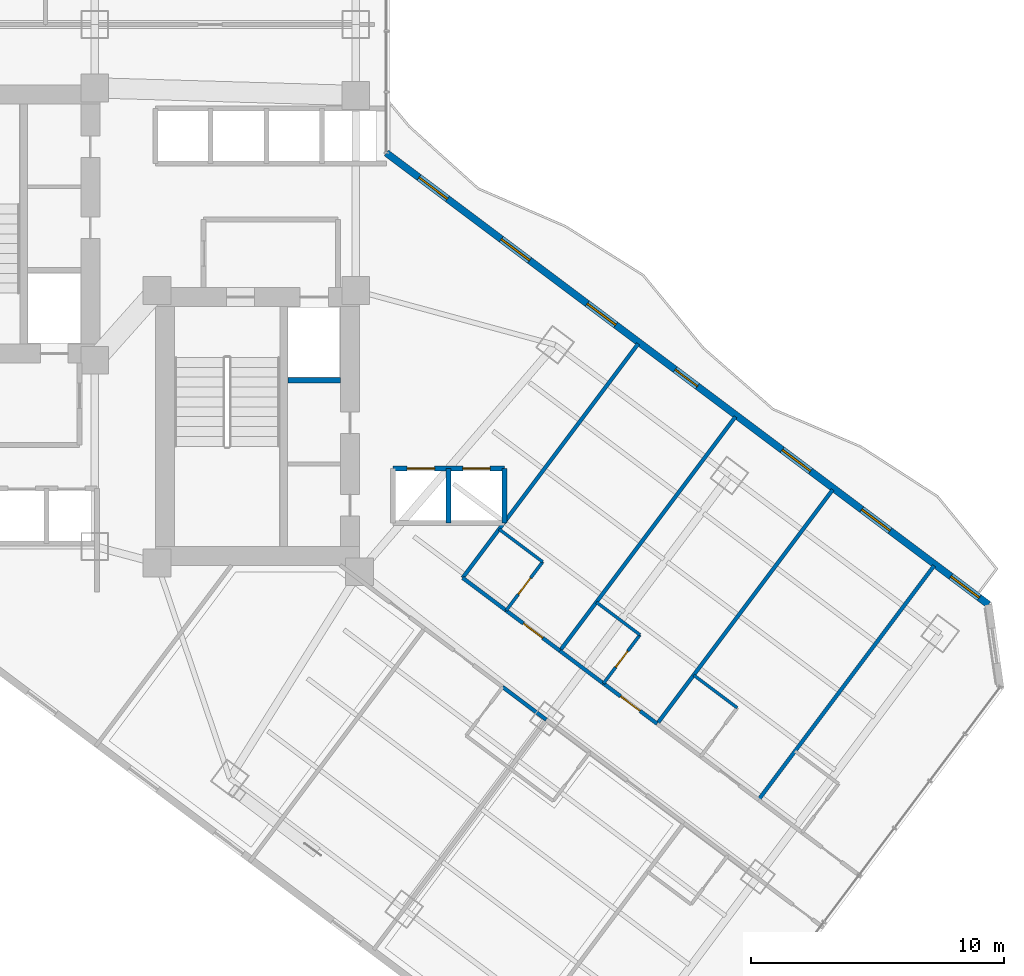
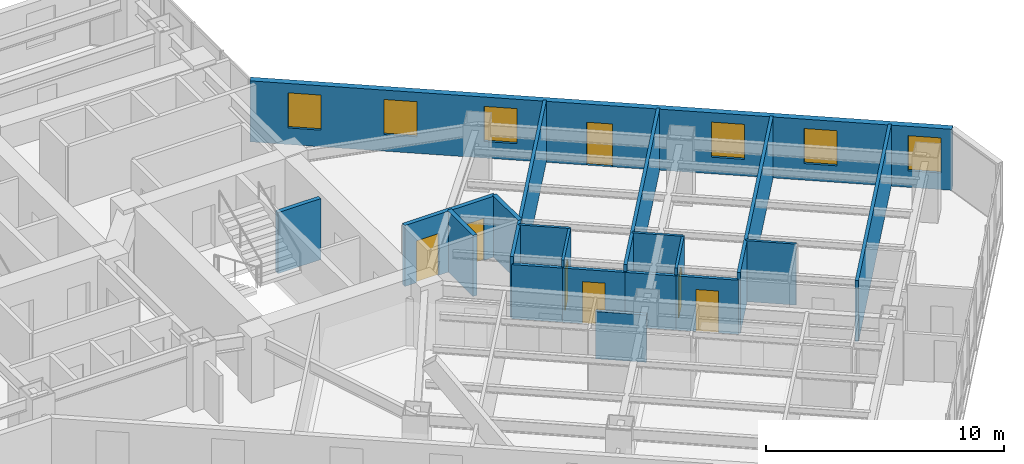
# One storey, part 24 of 32: 19 walls, 7 doors, 6 windows, 13 openings.
"""IFC4 building model written with IfcOpenShell, lengths in metres."""

from ifc_helpers import new_model, si_unit, direction, frame, frame_2d, origin, place, context, subcontext, project, spatial, rectangle, extrude, material, layer, layer_set, type_object, element, fill, save


model = new_model("IFC4")

# Units and contexts
model_context = context("Model", 3, precision=1e-05, world=origin(), true_north=direction((0.0, 1.0)))
body_context = subcontext(model_context, "Body", "Model", "MODEL_VIEW")
ifc_project = project(units=[si_unit("LENGTHUNIT", "METRE"), si_unit("AREAUNIT", "SQUARE_METRE"), si_unit("VOLUMEUNIT", "CUBIC_METRE"), si_unit("PLANEANGLEUNIT", "RADIAN"), si_unit("MASSUNIT", "GRAM", prefix="KILO")], contexts=[model_context])

# Site, building, storey
site_placement = place(None, origin())
site = spatial("IfcSite", under=ifc_project, at=site_placement, CompositionType="ELEMENT")
building_placement = place(site_placement, origin())
building = spatial("IfcBuilding", under=site, at=building_placement, Name="Hatsunagi Terrace Concourse", CompositionType="ELEMENT")
storey_placement = place(building_placement, frame((0.0, 0.0, 36.60009765625)))
storey = spatial("IfcBuildingStorey", under=building, at=storey_placement, Name="L08", CompositionType="ELEMENT", Elevation=36.60009765625)

# Wall, opening, door
ifc_material_1 = material(Name="Acoustic mineral board", Category="gypsum")
ifc_layer_1 = layer(ifc_material_1, 0.1201171875)
ifc_layer_set_1 = layer_set([ifc_layer_1], Name="PartitionWall_EI30_120")
wall_type_1 = type_object("IfcWallType", Name="PartitionWall_EI30_120", PredefinedType="PARTITIONING", material=ifc_layer_set_1)
wall_1_placement = place(storey_placement, frame((49.590087890625, 22.669921875, 0.0), z_axis=(0.0, 0.0, 1.0), x_axis=(0.599951172744, 0.800036618114, 0.0)))
wall_1 = element("IfcWall", 1, at=wall_1_placement, inside=storey, type_object=wall_type_1, Name="Interior Partition IW-L08-078", PredefinedType="PARTITIONING", context=body_context, shape_type="SweptSolid", body=[
    extrude(rectangle(XDim=2.400146484375, YDim=0.1201171875, at=frame_2d((1.2001953125, 0.0))), origin(), (0.0, 0.0, 1.0), 3.1298828125),
])
opening_1_placement = place(wall_1_placement, frame((0.800048828125, 0.0, 0.0)))
opening_1 = element("IfcOpeningElement", 2, at=opening_1_placement, cuts=wall_1, Name="Opening DR-080", PredefinedType="OPENING", context=body_context, shape_type="SweptSolid", body=[
    extrude(rectangle(XDim=0.800048828125, YDim=2.06005859375, at=frame_2d((0.39990234375, 1.030029296875))), frame((0.0, 0.070068359375, 0.0), z_axis=(0.0, -1.0, 0.0), x_axis=(1.0, 0.0, 0.0)), (0.0, 0.0, 1.0), 0.14013671875),
])
ifc_material_2 = material(Name="Hardwood timber", Category="wood")
door_type_1 = type_object("IfcDoorType", Name="BathroomDoor_800", OperationType="NOTDEFINED", PredefinedType="DOOR", material=ifc_material_2)
door_1_placement = place(opening_1_placement, origin())
door_1 = element("IfcDoor", 3, at=door_1_placement, inside=storey, type_object=door_type_1, Name="En-Suite Bathroom L08-SENE1 Door", OperationType="SINGLE_SWING_LEFT", OverallHeight=2.06005859375, OverallWidth=0.800048828125, PredefinedType="DOOR", context=body_context, shape_type="SweptSolid", body=[
    extrude(rectangle(XDim=0.800048828125, YDim=2.06005859375, at=frame_2d((0.39990234375, 1.030029296875))), frame((0.0, 0.02490234375, 0.0), z_axis=(0.0, -1.0, 0.0), x_axis=(1.0, 0.0, 0.0)), (0.0, 0.0, 1.0), 0.050048828125),
])
fill(opening_1, door_1)

# Wall
wall_2_placement = place(storey_placement, frame((49.31005859375, 25.8798828125, 0.0), z_axis=(0.0, 0.0, 1.0), x_axis=(0.800040880289, -0.59994548908, 0.0)))
element("IfcWall", 4, at=wall_2_placement, inside=storey, type_object=wall_type_1, Name="Interior Partition IW-L08-079", PredefinedType="PARTITIONING", context=body_context, shape_type="SweptSolid", body=[
    extrude(rectangle(XDim=2.14990234375, YDim=0.1201171875, at=frame_2d((1.074951171875, 0.0))), origin(), (0.0, 0.0, 1.0), 3.1298828125),
])

# Wall, opening, door
wall_3_placement = place(storey_placement, frame((53.429931640625, 19.7900390625, 0.0), z_axis=(0.0, 0.0, 1.0), x_axis=(0.600065100855, 0.79995117022, 0.0)))
wall_3 = element("IfcWall", 5, at=wall_3_placement, inside=storey, type_object=wall_type_1, Name="Interior Partition IW-L08-084", PredefinedType="PARTITIONING", context=body_context, shape_type="SweptSolid", body=[
    extrude(rectangle(XDim=2.400146484375, YDim=0.1201171875, at=frame_2d((1.2001953125, 0.0))), origin(), (0.0, 0.0, 1.0), 3.1298828125),
])
opening_2_placement = place(wall_3_placement, frame((0.800048828125, 0.0, 0.0)))
opening_2 = element("IfcOpeningElement", 6, at=opening_2_placement, cuts=wall_3, Name="Opening DR-080", PredefinedType="OPENING", context=body_context, shape_type="SweptSolid", body=[
    extrude(rectangle(XDim=0.800048828125, YDim=2.06005859375, at=frame_2d((0.39990234375, 1.030029296875))), frame((0.0, 0.070068359375, 0.0), z_axis=(0.0, -1.0, 0.0), x_axis=(1.0, 0.0, 0.0)), (0.0, 0.0, 1.0), 0.14013671875),
])
door_2_placement = place(opening_2_placement, origin())
door_2 = element("IfcDoor", 7, at=door_2_placement, inside=storey, type_object=door_type_1, Name="En-Suite Bathroom L08-SENE2 Door", OperationType="SINGLE_SWING_RIGHT", OverallHeight=2.06005859375, OverallWidth=0.800048828125, PredefinedType="DOOR", context=body_context, shape_type="SweptSolid", body=[
    extrude(rectangle(XDim=0.800048828125, YDim=2.06005859375, at=frame_2d((0.39990234375, 1.030029296875))), frame((0.0, 0.02490234375, 0.0), z_axis=(0.0, -1.0, 0.0), x_axis=(1.0, 0.0, 0.0)), (0.0, 0.0, 1.0), 0.050048828125),
])
fill(opening_2, door_2)

# Walls
wall_4_placement = place(storey_placement, frame((53.14990234375, 23.0, 0.0), z_axis=(0.0, 0.0, 1.0), x_axis=(0.800027249606, -0.599963665473, 0.0)))
element("IfcWall", 8, at=wall_4_placement, inside=storey, type_object=wall_type_1, Name="Interior Partition IW-L08-085", PredefinedType="PARTITIONING", context=body_context, shape_type="SweptSolid", body=[
    extrude(rectangle(XDim=2.150146484375, YDim=0.1201171875, at=frame_2d((1.0751953125, 0.0))), origin(), (0.0, 0.0, 1.0), 3.1298828125),
])
wall_5_placement = place(storey_placement, frame((56.989990234375, 20.1201171875, 0.0), z_axis=(0.0, 0.0, 1.0), x_axis=(0.79998637334, -0.60001816845, 0.0)))
element("IfcWall", 9, at=wall_5_placement, inside=storey, type_object=wall_type_1, Name="Interior Partition IW-L08-090", PredefinedType="PARTITIONING", context=body_context, shape_type="SweptSolid", body=[
    extrude(rectangle(XDim=2.14990234375, YDim=0.1201171875, at=frame_2d((1.074951171875, 0.0))), origin(), (0.0, 0.0, 1.0), 3.1298828125),
])
ifc_material_3 = material(Name="Acoustic mineral board", Category="gypsum")
ifc_layer_2 = layer(ifc_material_3, 0.14990234375)
ifc_layer_set_2 = layer_set([ifc_layer_2], Name="PartitionWall_EI60_150")
wall_type_2 = type_object("IfcWallType", Name="PartitionWall_EI60_150", PredefinedType="PARTITIONING", material=ifc_layer_set_2)
wall_6_placement = place(storey_placement, frame((47.8701171875, 23.9599609375, 0.0), z_axis=(0.0, 0.0, 1.0), x_axis=(0.79998637334, -0.60001816845, 0.0)))
element("IfcWall", 10, at=wall_6_placement, inside=storey, type_object=wall_type_2, Name="Interior Partition IW-L08-076", PredefinedType="PARTITIONING", context=body_context, shape_type="SweptSolid", body=[
    extrude(rectangle(XDim=2.14990234375, YDim=0.14990234375, at=frame_2d((1.074951171875, 0.0))), origin(), (0.0, 0.0, 1.0), 2.77490234375),
])

# Wall, opening, door
wall_7_placement = place(storey_placement, frame((49.590087890625, 22.669921875, 0.0), z_axis=(0.0, 0.0, 1.0), x_axis=(0.800011056104, -0.599985258246, 0.0)))
wall_7 = element("IfcWall", 11, at=wall_7_placement, inside=storey, type_object=wall_type_2, Name="Interior Partition IW-L08-077", PredefinedType="PARTITIONING", context=body_context, shape_type="SweptSolid", body=[
    extrude(rectangle(XDim=2.64990234375, YDim=0.14990234375, at=frame_2d((1.324951171875, 0.0))), origin(), (0.0, 0.0, 1.0), 2.77490234375),
])
opening_3_placement = place(wall_7_placement, frame((0.85009765625, 0.0, 0.0)))
opening_3 = element("IfcOpeningElement", 12, at=opening_3_placement, cuts=wall_7, Name="Opening DR-095", PredefinedType="OPENING", context=body_context, shape_type="SweptSolid", body=[
    extrude(rectangle(XDim=0.949951171875, YDim=2.14990234375, at=frame_2d((0.47509765625, 1.074951171875))), frame((0.0, 0.0849609375, 0.0), z_axis=(0.0, -1.0, 0.0), x_axis=(1.0, 0.0, 0.0)), (0.0, 0.0, 1.0), 0.169921875),
])
ifc_material_4 = material(Name="Hardwood timber", Category="wood")
door_type_2 = type_object("IfcDoorType", Name="InteriorSuiteDoor_EI30_950", OperationType="NOTDEFINED", PredefinedType="DOOR", material=ifc_material_4)
door_3_placement = place(opening_3_placement, origin())
door_3 = element("IfcDoor", 13, at=door_3_placement, inside=storey, type_object=door_type_2, Name="Hotel Guest Room L08-SENE1 Door", OperationType="SINGLE_SWING_LEFT", OverallHeight=2.14990234375, OverallWidth=0.949951171875, PredefinedType="DOOR", context=body_context, shape_type="SweptSolid", body=[
    extrude(rectangle(XDim=0.949951171875, YDim=2.14990234375, at=frame_2d((0.47509765625, 1.074951171875))), frame((0.0, 0.02490234375, 0.0), z_axis=(0.0, -1.0, 0.0), x_axis=(1.0, 0.0, 0.0)), (0.0, 0.0, 1.0), 0.050048828125),
])
fill(opening_3, door_3)

# Walls
for number, where, z_axis, x_axis, name in (
    (14, (47.8701171875, 23.9599609375, 0.0), (0.0, 0.0, 1.0), (0.599996617946, 0.80000253653, 0.0), "Interior Partition IW-L08-080"),
    (15, (51.7099609375, 21.080078125, 0.0), (0.0, 0.0, 1.0), (0.599996617946, 0.80000253653, 0.0), "Interior Partition IW-L08-081"),
):
    element("IfcWall", number, at=place(storey_placement, frame(where, z_axis=z_axis, x_axis=x_axis)), inside=storey, type_object=wall_type_2, Name=name, PredefinedType="PARTITIONING", context=body_context, shape_type="SweptSolid", body=[
        extrude(rectangle(XDim=11.550048828125, YDim=0.14990234375, at=frame_2d((5.77490234375, 0.0))), origin(), (0.0, 0.0, 1.0), 3.1298828125),
    ])
wall_8_placement = place(storey_placement, frame((51.7099609375, 21.080078125, 0.0), z_axis=(0.0, 0.0, 1.0), x_axis=(0.79998637334, -0.60001816845, 0.0)))
element("IfcWall", 16, at=wall_8_placement, inside=storey, type_object=wall_type_2, Name="Interior Partition IW-L08-082", PredefinedType="PARTITIONING", context=body_context, shape_type="SweptSolid", body=[
    extrude(rectangle(XDim=2.14990234375, YDim=0.14990234375, at=frame_2d((1.074951171875, 0.0))), origin(), (0.0, 0.0, 1.0), 2.77490234375),
])

# Wall, opening, door
wall_9_placement = place(storey_placement, frame((53.429931640625, 19.7900390625, 0.0), z_axis=(0.0, 0.0, 1.0), x_axis=(0.8, -0.6, 0.0)))
wall_9 = element("IfcWall", 17, at=wall_9_placement, inside=storey, type_object=wall_type_2, Name="Interior Partition IW-L08-083", PredefinedType="PARTITIONING", context=body_context, shape_type="SweptSolid", body=[
    extrude(rectangle(XDim=2.650146484375, YDim=0.14990234375, at=frame_2d((1.3251953125, 0.0))), origin(), (0.0, 0.0, 1.0), 2.77490234375),
])
opening_4_placement = place(wall_9_placement, frame((0.85009765625, 0.0, 0.0)))
opening_4 = element("IfcOpeningElement", 18, at=opening_4_placement, cuts=wall_9, Name="Opening DR-095", PredefinedType="OPENING", context=body_context, shape_type="SweptSolid", body=[
    extrude(rectangle(XDim=0.949951171875, YDim=2.14990234375, at=frame_2d((0.47509765625, 1.074951171875))), frame((0.0, 0.0849609375, 0.0), z_axis=(0.0, -1.0, 0.0), x_axis=(1.0, 0.0, 0.0)), (0.0, 0.0, 1.0), 0.169921875),
])
door_4_placement = place(opening_4_placement, origin())
door_4 = element("IfcDoor", 19, at=door_4_placement, inside=storey, type_object=door_type_2, Name="Hotel Guest Room L08-SENE2 Door", OperationType="SINGLE_SWING_LEFT", OverallHeight=2.14990234375, OverallWidth=0.949951171875, PredefinedType="DOOR", context=body_context, shape_type="SweptSolid", body=[
    extrude(rectangle(XDim=0.949951171875, YDim=2.14990234375, at=frame_2d((0.47509765625, 1.074951171875))), frame((0.0, 0.02490234375, 0.0), z_axis=(0.0, -1.0, 0.0), x_axis=(1.0, 0.0, 0.0)), (0.0, 0.0, 1.0), 0.050048828125),
])
fill(opening_4, door_4)

# Walls
for number, where, z_axis, x_axis, name in (
    (20, (55.550048828125, 18.199951171875, 0.0), (0.0, 0.0, 1.0), (0.599996617946, 0.80000253653, 0.0), "Interior Partition IW-L08-086"),
    (21, (59.550048828125, 15.199951171875, 0.0), (0.0, 0.0, 1.0), (0.599996617946, 0.80000253653, 0.0), "Interior Partition IW-L08-091"),
):
    element("IfcWall", number, at=place(storey_placement, frame(where, z_axis=z_axis, x_axis=x_axis)), inside=storey, type_object=wall_type_2, Name=name, PredefinedType="PARTITIONING", context=body_context, shape_type="SweptSolid", body=[
        extrude(rectangle(XDim=11.550048828125, YDim=0.14990234375, at=frame_2d((5.77490234375, 0.0))), origin(), (0.0, 0.0, 1.0), 3.1298828125),
    ])
wall_10_placement = place(storey_placement, frame((49.449951171875, 19.64990234375, 0.0), z_axis=(0.0, 0.0, 1.0), x_axis=(0.800040880289, -0.59994548908, 0.0)))
element("IfcWall", 22, at=wall_10_placement, inside=storey, type_object=wall_type_2, Name="Interior Partition IW-L08-097", PredefinedType="PARTITIONING", context=body_context, shape_type="SweptSolid", body=[
    extrude(rectangle(XDim=2.14990234375, YDim=0.14990234375, at=frame_2d((1.074951171875, 0.0))), origin(), (0.0, 0.0, 1.0), 2.4248046875),
])
ifc_material_5 = material(Name="Acoustic mineral board", Category="gypsum")
ifc_layer_3 = layer(ifc_material_5, 0.199951171875)
ifc_layer_set_3 = layer_set([ifc_layer_3], Name="ShaftWall_EI120_200")
wall_type_3 = type_object("IfcWallType", Name="ShaftWall_EI120_200", PredefinedType="STANDARD", material=ifc_layer_set_3)
wall_11_placement = place(storey_placement, frame((40.969970703125, 31.760009765625, 0.0), z_axis=(0.0, 0.0, 1.0), x_axis=(1.0, 0.0, 0.0)))
element("IfcWall", 23, at=wall_11_placement, inside=storey, type_object=wall_type_3, Name="Interior Partition IW-L08-003", PredefinedType="STANDARD", context=body_context, shape_type="SweptSolid", body=[
    extrude(rectangle(XDim=2.080078125, YDim=0.199951171875, at=frame_2d((1.0400390625, 0.0))), origin(), (0.0, 0.0, 1.0), 3.1298828125),
])
for number, where, z_axis, x_axis, name in (
    (24, (49.52001953125, 26.1201171875, 0.0), (0.0, 0.0, 1.0), (0.0, 1.0, 0.0), "Interior Partition IW-L08-026"),
    (25, (47.320068359375, 26.1201171875, 0.0), (0.0, 0.0, 1.0), (0.0, 1.0, 0.0), "Interior Partition IW-L08-027"),
):
    element("IfcWall", number, at=place(storey_placement, frame(where, z_axis=z_axis, x_axis=x_axis)), inside=storey, type_object=wall_type_3, Name=name, PredefinedType="STANDARD", context=body_context, shape_type="SweptSolid", body=[
        extrude(rectangle(XDim=2.159912109375, YDim=0.199951171875, at=frame_2d((1.080078125, 0.0))), origin(), (0.0, 0.0, 1.0), 3.1298828125),
    ])

# Wall, openings, doors
wall_12_placement = place(storey_placement, frame((45.1201171875, 28.280029296875, 0.0), z_axis=(0.0, 0.0, 1.0), x_axis=(1.0, 0.0, 0.0)))
wall_12 = element("IfcWall", 26, at=wall_12_placement, inside=storey, type_object=wall_type_3, Name="Interior Partition IW-L08-028", PredefinedType="STANDARD", context=body_context, shape_type="SweptSolid", body=[
    extrude(rectangle(XDim=4.39990234375, YDim=0.199951171875, at=frame_2d((2.199951171875, 0.0))), origin(), (0.0, 0.0, 1.0), 3.1298828125),
])
opening_5_placement = place(wall_12_placement, frame((0.56005859375, 0.0, 0.0)))
opening_5 = element("IfcOpeningElement", 27, at=opening_5_placement, cuts=wall_12, Name="Opening LD-03", PredefinedType="OPENING", context=body_context, shape_type="SweptSolid", body=[
    extrude(rectangle(XDim=1.080078125, YDim=2.14990234375, at=frame_2d((0.5400390625, 1.074951171875))), frame((0.0, 0.10986328125, 0.0), z_axis=(0.0, -1.0, 0.0), x_axis=(1.0, 0.0, 0.0)), (0.0, 0.0, 1.0), 0.219970703125),
])
opening_6_placement = place(wall_12_placement, frame((2.760009765625, 0.0, 0.0)))
opening_6 = element("IfcOpeningElement", 28, at=opening_6_placement, cuts=wall_12, Name="Opening LD-03", PredefinedType="OPENING", context=body_context, shape_type="SweptSolid", body=[
    extrude(rectangle(XDim=1.080078125, YDim=2.14990234375, at=frame_2d((0.5400390625, 1.074951171875))), frame((0.0, 0.10986328125, 0.0), z_axis=(0.0, -1.0, 0.0), x_axis=(1.0, 0.0, 0.0)), (0.0, 0.0, 1.0), 0.219970703125),
])
ifc_material_6 = material(Name="Stainless steel", Category="steel")
door_type_3 = type_object("IfcDoorType", Name="LiftLandingDoor_LD03", OperationType="SLIDING_TO_LEFT", PredefinedType="USERDEFINED", material=ifc_material_6)
door_5_placement = place(opening_5_placement, origin())
door_5 = element("IfcDoor", 29, at=door_5_placement, inside=storey, type_object=door_type_3, Name="Lift landing door PL-09 L08", ObjectType="SLIDING_LANDING_DOOR", OperationType="SLIDING_TO_LEFT", OverallHeight=2.14990234375, OverallWidth=1.080078125, PredefinedType="USERDEFINED", context=body_context, shape_type="SweptSolid", body=[
    extrude(rectangle(XDim=1.080078125, YDim=2.14990234375, at=frame_2d((0.5400390625, 1.074951171875))), frame((0.0, 0.02490234375, 0.0), z_axis=(0.0, -1.0, 0.0), x_axis=(1.0, 0.0, 0.0)), (0.0, 0.0, 1.0), 0.050048828125),
])
fill(opening_5, door_5)
door_6_placement = place(opening_6_placement, origin())
door_6 = element("IfcDoor", 30, at=door_6_placement, inside=storey, type_object=door_type_3, Name="Lift landing door PL-10 L08", ObjectType="SLIDING_LANDING_DOOR", OperationType="SLIDING_TO_LEFT", OverallHeight=2.14990234375, OverallWidth=1.080078125, PredefinedType="USERDEFINED", context=body_context, shape_type="SweptSolid", body=[
    extrude(rectangle(XDim=1.080078125, YDim=2.14990234375, at=frame_2d((0.5400390625, 1.074951171875))), frame((0.0, 0.02490234375, 0.0), z_axis=(0.0, -1.0, 0.0), x_axis=(1.0, 0.0, 0.0)), (0.0, 0.0, 1.0), 0.050048828125),
])
fill(opening_6, door_6)

# Wall, openings, door, windows
ifc_material_7 = material(Name="Autoclaved Lightweight Concrete and Terracotta Cladding", Category="masonry")
ifc_layer_4 = layer(ifc_material_7, 0.280029296875)
ifc_layer_set_4 = layer_set([ifc_layer_4], Name="TerracottaSpandrelWall_280")
wall_type_4 = type_object("IfcWallType", Name="TerracottaSpandrelWall_280", PredefinedType="STANDARD", material=ifc_layer_set_4)
wall_13_placement = place(storey_placement, frame((44.860107421875, 40.72998046875, 0.0), z_axis=(0.0, 0.0, 1.0), x_axis=(0.800006902154, -0.599990797017, 0.0)))
wall_13 = element("IfcWall", 31, at=wall_13_placement, inside=storey, type_object=wall_type_4, Name="Exterior Spandrel Wall EW-L08-01", PredefinedType="STANDARD", context=body_context, shape_type="SweptSolid", body=[
    extrude(rectangle(XDim=29.7119140625, YDim=0.280029296875, at=frame_2d((14.85595703125, 0.0))), origin(), (0.0, 0.0, 1.0), 3.1298828125),
])
opening_7_placement = place(wall_13_placement, frame((14.2490234375, 0.0, 0.0)))
opening_7 = element("IfcOpeningElement", 32, at=opening_7_placement, cuts=wall_13, Name="Opening BD-01", PredefinedType="OPENING", context=body_context, shape_type="SweptSolid", body=[
    extrude(rectangle(XDim=1.10009765625, YDim=2.199951171875, at=frame_2d((0.550048828125, 1.10009765625))), frame((0.0, 0.14990234375, 0.0), z_axis=(0.0, -1.0, 0.0), x_axis=(1.0, 0.0, 0.0)), (0.0, 0.0, 1.0), 0.300048828125),
])
opening_8_placement = place(wall_13_placement, frame((1.612060546875, 0.0, 0.85009765625)))
opening_8 = element("IfcOpeningElement", 33, at=opening_8_placement, cuts=wall_13, Name="Opening WIN-02", PredefinedType="OPENING", context=body_context, shape_type="SweptSolid", body=[
    extrude(rectangle(XDim=1.39990234375, YDim=1.800048828125, at=frame_2d((0.699951171875, 0.89990234375))), frame((0.0, 0.14990234375, 0.0), z_axis=(0.0, -1.0, 0.0), x_axis=(1.0, 0.0, 0.0)), (0.0, 0.0, 1.0), 0.300048828125),
])
opening_9_placement = place(wall_13_placement, frame((5.6669921875, 0.0, 0.85009765625)))
opening_9 = element("IfcOpeningElement", 34, at=opening_9_placement, cuts=wall_13, Name="Opening WIN-02", PredefinedType="OPENING", context=body_context, shape_type="SweptSolid", body=[
    extrude(rectangle(XDim=1.39990234375, YDim=1.800048828125, at=frame_2d((0.699951171875, 0.89990234375))), frame((0.0, 0.14990234375, 0.0), z_axis=(0.0, -1.0, 0.0), x_axis=(1.0, 0.0, 0.0)), (0.0, 0.0, 1.0), 0.300048828125),
])
opening_10_placement = place(wall_13_placement, frame((9.912109375, 0.0, 0.85009765625)))
opening_10 = element("IfcOpeningElement", 35, at=opening_10_placement, cuts=wall_13, Name="Opening WIN-02", PredefinedType="OPENING", context=body_context, shape_type="SweptSolid", body=[
    extrude(rectangle(XDim=1.39990234375, YDim=1.800048828125, at=frame_2d((0.699951171875, 0.89990234375))), frame((0.0, 0.14990234375, 0.0), z_axis=(0.0, -1.0, 0.0), x_axis=(1.0, 0.0, 0.0)), (0.0, 0.0, 1.0), 0.300048828125),
])
opening_11_placement = place(wall_13_placement, frame((19.528076171875, 0.0, 0.85009765625)))
opening_11 = element("IfcOpeningElement", 36, at=opening_11_placement, cuts=wall_13, Name="Opening WIN-02", PredefinedType="OPENING", context=body_context, shape_type="SweptSolid", body=[
    extrude(rectangle(XDim=1.39990234375, YDim=1.800048828125, at=frame_2d((0.699951171875, 0.89990234375))), frame((0.0, 0.14990234375, 0.0), z_axis=(0.0, -1.0, 0.0), x_axis=(1.0, 0.0, 0.0)), (0.0, 0.0, 1.0), 0.300048828125),
])
opening_12_placement = place(wall_13_placement, frame((23.450927734375, 0.0, 0.85009765625)))
opening_12 = element("IfcOpeningElement", 37, at=opening_12_placement, cuts=wall_13, Name="Opening WIN-02", PredefinedType="OPENING", context=body_context, shape_type="SweptSolid", body=[
    extrude(rectangle(XDim=1.39990234375, YDim=1.800048828125, at=frame_2d((0.699951171875, 0.89990234375))), frame((0.0, 0.14990234375, 0.0), z_axis=(0.0, -1.0, 0.0), x_axis=(1.0, 0.0, 0.0)), (0.0, 0.0, 1.0), 0.300048828125),
])
opening_13_placement = place(wall_13_placement, frame((27.85205078125, 0.0, 0.85009765625)))
opening_13 = element("IfcOpeningElement", 38, at=opening_13_placement, cuts=wall_13, Name="Opening WIN-02", PredefinedType="OPENING", context=body_context, shape_type="SweptSolid", body=[
    extrude(rectangle(XDim=1.39990234375, YDim=1.800048828125, at=frame_2d((0.699951171875, 0.89990234375))), frame((0.0, 0.14990234375, 0.0), z_axis=(0.0, -1.0, 0.0), x_axis=(1.0, 0.0, 0.0)), (0.0, 0.0, 1.0), 0.300048828125),
])
ifc_material_8 = material(Name="Galvanised Steel and Laminated Safety Glass", Category="steel")
door_type_4 = type_object("IfcDoorType", Name="BalconyTerraceAccessDoor_1100x2200", OperationType="SINGLE_SWING_LEFT", PredefinedType="DOOR", material=ifc_material_8)
door_7_placement = place(opening_7_placement, origin())
door_7 = element("IfcDoor", 39, at=door_7_placement, inside=storey, type_object=door_type_4, Name="Engawa Balcony Door L08-BSE", OperationType="SINGLE_SWING_LEFT", OverallHeight=2.199951171875, OverallWidth=1.10009765625, PredefinedType="DOOR", context=body_context, shape_type="SweptSolid", body=[
    extrude(rectangle(XDim=1.10009765625, YDim=2.199951171875, at=frame_2d((0.550048828125, 1.10009765625))), frame((0.0, 0.02490234375, 0.0), z_axis=(0.0, -1.0, 0.0), x_axis=(1.0, 0.0, 0.0)), (0.0, 0.0, 1.0), 0.050048828125),
])
fill(opening_7, door_7)
ifc_material_9 = material(Name="Thermally Broken Aluminium and Low-E Triple Glazing", Category="aluminium")
window_type = type_object("IfcWindowType", Name="HotelOperableVentWindow_1400x1800", PartitioningType="DOUBLE_PANEL_VERTICAL", PredefinedType="WINDOW", material=ifc_material_9)
window_1_placement = place(opening_8_placement, origin())
window_1 = element("IfcWindow", 40, at=window_1_placement, inside=storey, type_object=window_type, Name="Balcony Daylighting Window L08-01-1", OverallHeight=1.800048828125, OverallWidth=1.39990234375, PartitioningType="SINGLE_PANEL", PredefinedType="WINDOW", context=body_context, shape_type="SweptSolid", body=[
    extrude(rectangle(XDim=1.39990234375, YDim=1.800048828125, at=frame_2d((0.699951171875, 0.89990234375))), frame((0.0, 0.030029296875, 0.0), z_axis=(0.0, -1.0, 0.0), x_axis=(1.0, 0.0, 0.0)), (0.0, 0.0, 1.0), 0.06005859375),
])
fill(opening_8, window_1)
window_2_placement = place(opening_9_placement, origin())
window_2 = element("IfcWindow", 41, at=window_2_placement, inside=storey, type_object=window_type, Name="Balcony Daylighting Window L08-01-2", OverallHeight=1.800048828125, OverallWidth=1.39990234375, PartitioningType="SINGLE_PANEL", PredefinedType="WINDOW", context=body_context, shape_type="SweptSolid", body=[
    extrude(rectangle(XDim=1.39990234375, YDim=1.800048828125, at=frame_2d((0.699951171875, 0.89990234375))), frame((0.0, 0.030029296875, 0.0), z_axis=(0.0, -1.0, 0.0), x_axis=(1.0, 0.0, 0.0)), (0.0, 0.0, 1.0), 0.06005859375),
])
fill(opening_9, window_2)
window_3_placement = place(opening_10_placement, origin())
window_3 = element("IfcWindow", 42, at=window_3_placement, inside=storey, type_object=window_type, Name="Balcony Daylighting Window L08-01-3", OverallHeight=1.800048828125, OverallWidth=1.39990234375, PartitioningType="SINGLE_PANEL", PredefinedType="WINDOW", context=body_context, shape_type="SweptSolid", body=[
    extrude(rectangle(XDim=1.39990234375, YDim=1.800048828125, at=frame_2d((0.699951171875, 0.89990234375))), frame((0.0, 0.030029296875, 0.0), z_axis=(0.0, -1.0, 0.0), x_axis=(1.0, 0.0, 0.0)), (0.0, 0.0, 1.0), 0.06005859375),
])
fill(opening_10, window_3)
window_4_placement = place(opening_11_placement, origin())
window_4 = element("IfcWindow", 43, at=window_4_placement, inside=storey, type_object=window_type, Name="Balcony Daylighting Window L08-01-5", OverallHeight=1.800048828125, OverallWidth=1.39990234375, PartitioningType="SINGLE_PANEL", PredefinedType="WINDOW", context=body_context, shape_type="SweptSolid", body=[
    extrude(rectangle(XDim=1.39990234375, YDim=1.800048828125, at=frame_2d((0.699951171875, 0.89990234375))), frame((0.0, 0.030029296875, 0.0), z_axis=(0.0, -1.0, 0.0), x_axis=(1.0, 0.0, 0.0)), (0.0, 0.0, 1.0), 0.06005859375),
])
fill(opening_11, window_4)
window_5_placement = place(opening_12_placement, origin())
window_5 = element("IfcWindow", 44, at=window_5_placement, inside=storey, type_object=window_type, Name="Balcony Daylighting Window L08-01-6", OverallHeight=1.800048828125, OverallWidth=1.39990234375, PartitioningType="SINGLE_PANEL", PredefinedType="WINDOW", context=body_context, shape_type="SweptSolid", body=[
    extrude(rectangle(XDim=1.39990234375, YDim=1.800048828125, at=frame_2d((0.699951171875, 0.89990234375))), frame((0.0, 0.030029296875, 0.0), z_axis=(0.0, -1.0, 0.0), x_axis=(1.0, 0.0, 0.0)), (0.0, 0.0, 1.0), 0.06005859375),
])
fill(opening_12, window_5)
window_6_placement = place(opening_13_placement, origin())
window_6 = element("IfcWindow", 45, at=window_6_placement, inside=storey, type_object=window_type, Name="Balcony Daylighting Window L08-01-7", OverallHeight=1.800048828125, OverallWidth=1.39990234375, PartitioningType="SINGLE_PANEL", PredefinedType="WINDOW", context=body_context, shape_type="SweptSolid", body=[
    extrude(rectangle(XDim=1.39990234375, YDim=1.800048828125, at=frame_2d((0.699951171875, 0.89990234375))), frame((0.0, 0.030029296875, 0.0), z_axis=(0.0, -1.0, 0.0), x_axis=(1.0, 0.0, 0.0)), (0.0, 0.0, 1.0), 0.06005859375),
])
fill(opening_13, window_6)

save(model, "model.ifc")
